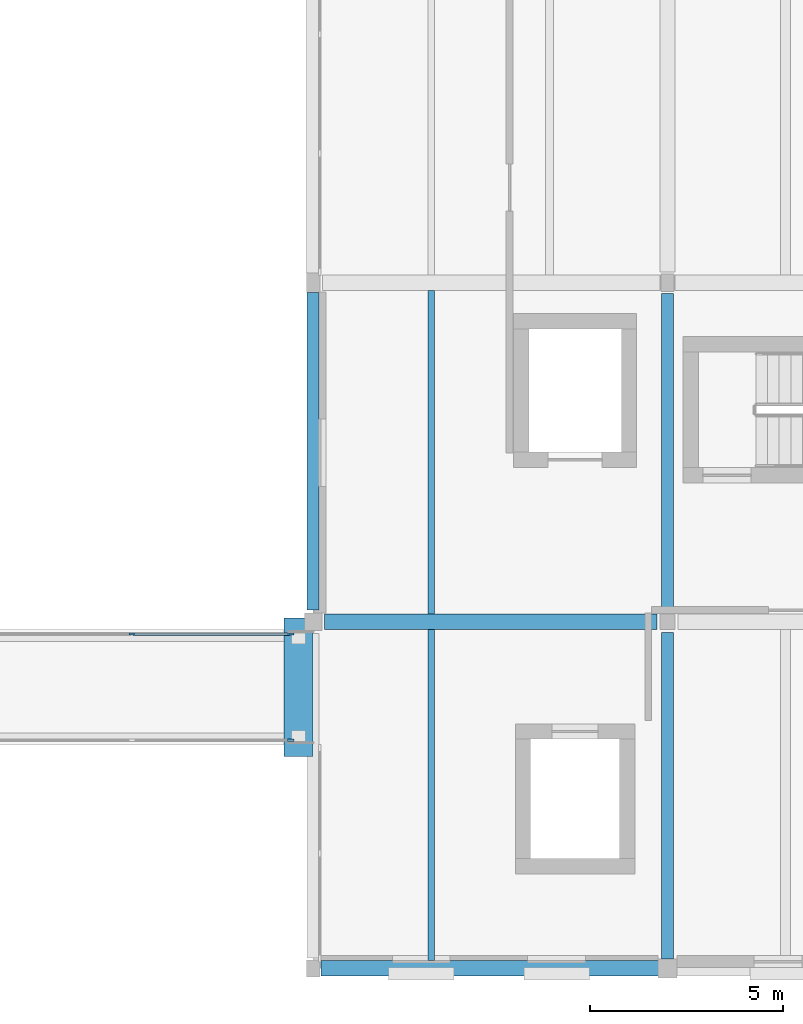
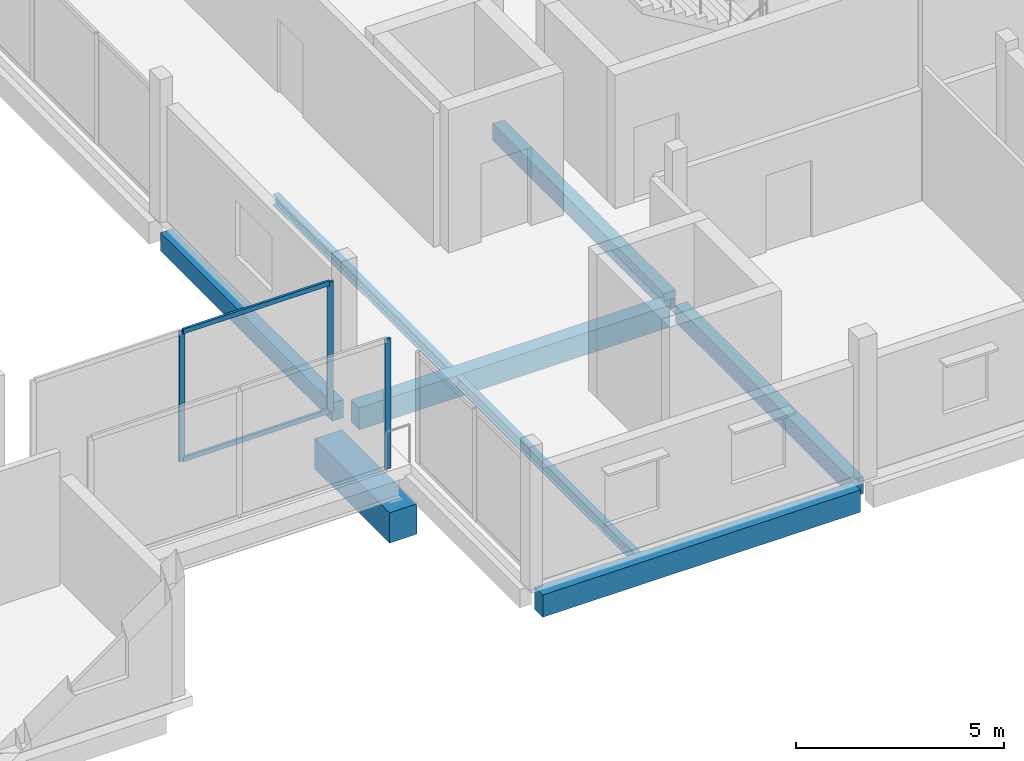
# One storey, part 9 of 35: 8 beams, 5 members, 2 elements without a shape of their own.
"""IFC4 building model written with IfcOpenShell, lengths in metres."""

import ifcopenshell
import ifcopenshell.guid

model = None  # the IFC model being written
_history = None  # IfcOwnerHistory: only IFC2X3 demands one
_inside = {}  # id of a spatial element -> (the spatial element, [elements in it])
_under = {}  # id of a project, library or spatial element -> (it, [spatial elements below it])
_declared = {}  # id of a project -> (the project, [libraries it declares])
_typed = {}  # id of a type object -> (the type object, [elements of that type])
_made_of = {}  # id of a material, layer set ... -> (it, [elements and type objects made of it])


def new_model(schema):
    """Start an empty IFC model of exactly this schema.

    Asked for "IFC4X3", IfcOpenShell would pick the latest addendum, in which some entities
    have other attributes; the version numbers below select the first issue.
    IFC2X3 requires an IfcOwnerHistory on every rooted entity: one is made here for all.
    """
    global model, _history
    if schema == "IFC4X3":
        model = ifcopenshell.file(schema_version=(4, 3, 0, 0))
    else:
        model = ifcopenshell.file(schema=schema)
    _inside.clear()
    _under.clear()
    _declared.clear()
    _typed.clear()
    _made_of.clear()
    _history = None
    if model.schema == "IFC2X3":
        org = make("IfcOrganization", Name="unknown")
        user = make(
            "IfcPersonAndOrganization",
            ThePerson=make("IfcPerson", FamilyName="unknown"),
            TheOrganization=org,
        )
        app = make(
            "IfcApplication",
            ApplicationDeveloper=org,
            Version="unknown",
            ApplicationFullName="unknown",
            ApplicationIdentifier="unknown",
        )
        _history = make(
            "IfcOwnerHistory",
            OwningUser=user,
            OwningApplication=app,
            ChangeAction="ADDED",
            CreationDate=0,
        )
    return model


def make(cls, **values):
    """One entity of the class cls with the attributes given. An attribute that is None is left unset."""
    return model.create_entity(
        cls, **{name: value for name, value in values.items() if value is not None}
    )


def rooted(cls, **values):
    """An entity with a GlobalId (a new one), such as an element, a storey or a relation."""
    return make(cls, GlobalId=ifcopenshell.guid.new(), OwnerHistory=_history, **values)


def si_unit(unit_type, name, prefix=None):
    """IfcSIUnit, for example si_unit("LENGTHUNIT", "METRE", prefix="MILLI")."""
    return make("IfcSIUnit", UnitType=unit_type, Prefix=prefix, Name=name)


def assignment(units):
    """IfcUnitAssignment: the units of a project."""
    return None if units is None else make("IfcUnitAssignment", Units=units)


def point(xyz):
    """IfcCartesianPoint."""
    return None if xyz is None else make("IfcCartesianPoint", Coordinates=xyz)


def direction(xyz):
    """IfcDirection."""
    return None if xyz is None else make("IfcDirection", DirectionRatios=xyz)


def frame(location, z_axis=None, x_axis=None):
    """IfcAxis2Placement3D, a coordinate frame: its origin and axes. An axis left out is left unset."""
    return make(
        "IfcAxis2Placement3D",
        Location=point(location),
        Axis=direction(z_axis),
        RefDirection=direction(x_axis),
    )


def frame_2d(location, x_axis=None):
    """IfcAxis2Placement2D, a coordinate frame in the plane: its origin and x axis."""
    return make(
        "IfcAxis2Placement2D", Location=point(location), RefDirection=direction(x_axis)
    )


def origin():
    """The frame at (0, 0, 0) with its axes left unset."""
    return frame((0.0, 0.0, 0.0))


def origin_2d():
    """The frame at (0, 0) in the plane with its x axis left unset."""
    return frame_2d((0.0, 0.0))


def place(relative_to, where):
    """IfcLocalPlacement: puts the frame where relative to a parent placement (None: the world)."""
    return make(
        "IfcLocalPlacement", PlacementRelTo=relative_to, RelativePlacement=where
    )


def context(
    kind, dimensions, precision=None, world=None, true_north=None, identifier=None
):
    """IfcGeometricRepresentationContext, for example the 3D "Model" context."""
    return make(
        "IfcGeometricRepresentationContext",
        ContextIdentifier=identifier,
        ContextType=kind,
        CoordinateSpaceDimension=dimensions,
        Precision=precision,
        WorldCoordinateSystem=world,
        TrueNorth=true_north,
    )


def subcontext(parent, identifier, kind, view, scale=None):
    """IfcGeometricRepresentationSubContext, for example "Body" below "Model"."""
    return make(
        "IfcGeometricRepresentationSubContext",
        ContextIdentifier=identifier,
        ContextType=kind,
        ParentContext=parent,
        TargetScale=scale,
        TargetView=view,
    )


def project(units=None, contexts=None):
    """IfcProject with its units and contexts."""
    return rooted(
        "IfcProject",
        Name="project",
        RepresentationContexts=contexts,
        UnitsInContext=assignment(units),
    )


def spatial(cls, under=None, at=None, **own):
    """A site, building, storey or space (cls), placed at a placement, below another one or the project."""
    s = rooted(cls, ObjectPlacement=at, **own)
    if under is not None:
        _under.setdefault(under.id(), (under, []))[1].append(s)
    return s


def profile(cls, at=None, kind="AREA", **sizes):
    """A parametric profile (cls). Its sizes go by their IFC names, for example OverallWidth=200.0."""
    return make(cls, ProfileType=kind, Position=at, **sizes)


def rectangle(**sizes):
    """IfcRectangleProfileDef."""
    return profile("IfcRectangleProfileDef", **sizes)


def i_section(**sizes):
    """IfcIShapeProfileDef."""
    return profile("IfcIShapeProfileDef", **sizes)


def extrude(swept, where, along, depth):
    """IfcExtrudedAreaSolid: the profile swept, set in the frame where, extruded along a direction by depth."""
    return make(
        "IfcExtrudedAreaSolid",
        SweptArea=swept,
        Position=where,
        ExtrudedDirection=direction(along),
        Depth=depth,
    )


def shape(context_of_items, identifier, shape_type, items):
    """IfcShapeRepresentation: the items that make up one representation, for example the "Body"."""
    return make(
        "IfcShapeRepresentation",
        ContextOfItems=context_of_items,
        RepresentationIdentifier=identifier,
        RepresentationType=shape_type,
        Items=items,
    )


def material(Name=None, Category=None):
    """IfcMaterial."""
    return make("IfcMaterial", Name=Name, Category=Category)


def layer(
    of_material, thickness, ventilated=None, Name=None, Category=None, Priority=None
):
    """IfcMaterialLayer: one layer of a wall or slab, of a material (None: an air gap)."""
    return make(
        "IfcMaterialLayer",
        Material=of_material,
        LayerThickness=thickness,
        IsVentilated=ventilated,
        Name=Name,
        Category=Category,
        Priority=Priority,
    )


def layer_set(layers, Name=None):
    """IfcMaterialLayerSet."""
    return make("IfcMaterialLayerSet", MaterialLayers=layers, LayerSetName=Name)


def material_profile(
    of_material, cross_section, Name=None, Category=None, Priority=None
):
    """IfcMaterialProfile: a cross section and its material."""
    return make(
        "IfcMaterialProfile",
        Name=Name,
        Material=of_material,
        Profile=cross_section,
        Priority=Priority,
        Category=Category,
    )


def profile_set(profiles, Name=None, composite=None):
    """IfcMaterialProfileSet."""
    return make(
        "IfcMaterialProfileSet",
        Name=Name,
        MaterialProfiles=profiles,
        CompositeProfile=composite,
    )


def made_of(thing, what):
    """Note that an element or type object is made of a material, layer set ...; save() writes the relation."""
    if what is not None:
        _made_of.setdefault(what.id(), (what, []))[1].append(thing)
    return thing


def type_object(cls, material=None, **own):
    """A type object (cls), such as IfcWallType, which elements share."""
    return made_of(rooted(cls, **own), material)


def element(
    cls,
    number,
    at=None,
    inside=None,
    cuts=None,
    type_object=None,
    material=None,
    context=None,
    identifier="Body",
    shape_type=None,
    held_by="IfcProductDefinitionShape",
    body=None,
    shapes=None,
    **own,
):
    """One element of the class cls, such as IfcWall. Its Tag is "e" and its number.

    at: its placement. inside: the storey or other place that contains it. cuts: it is an
    opening in that element (IfcRelVoidsElement). A single representation is given by context,
    identifier, shape_type and body (its items); several are given by shapes. held_by: the class
    of the entity that holds the representations. save() writes the other relations.
    """
    e = rooted(cls, Tag="e%d" % number, ObjectPlacement=at, **own)
    if body is not None:
        shapes = [shape(context, identifier, shape_type, body)]
    if shapes is not None:
        e.Representation = make(held_by, Representations=shapes)
    if inside is not None:
        _inside.setdefault(inside.id(), (inside, []))[1].append(e)
    if cuts is not None:
        rooted(
            "IfcRelVoidsElement", RelatingBuildingElement=cuts, RelatedOpeningElement=e
        )
    if type_object is not None:
        _typed.setdefault(type_object.id(), (type_object, []))[1].append(e)
    return made_of(e, material)


def aggregate(whole, parts):
    """IfcRelAggregates: a whole, such as a stair, and the parts it consists of."""
    return rooted("IfcRelAggregates", RelatingObject=whole, RelatedObjects=parts)


def save(model, path):
    """Write the relations noted so far, then the file.

    IfcRelAggregates (storeys below a building ...), IfcRelContainedInSpatialStructure (elements
    in a storey), IfcRelDefinesByType, IfcRelAssociatesMaterial and IfcRelDeclares: one each for
    every whole, place, type object, material and project.
    """
    for whole, parts in _under.values():
        aggregate(whole, parts)
    for where, things in _inside.values():
        rooted(
            "IfcRelContainedInSpatialStructure",
            RelatedElements=things,
            RelatingStructure=where,
        )
    for kind, things in _typed.values():
        rooted("IfcRelDefinesByType", RelatedObjects=things, RelatingType=kind)
    for what, things in _made_of.values():
        rooted("IfcRelAssociatesMaterial", RelatedObjects=things, RelatingMaterial=what)
    for by, libraries in _declared.values():
        rooted("IfcRelDeclares", RelatingContext=by, RelatedDefinitions=libraries)
    model.write(path)


model = new_model("IFC4")

# Units and contexts
model_context = context("Model", 3, precision=1e-05, world=origin(), true_north=direction((0.0, 1.0)))
body_context = subcontext(model_context, "Body", "Model", "MODEL_VIEW")
ifc_project = project(units=[si_unit("LENGTHUNIT", "METRE"), si_unit("AREAUNIT", "SQUARE_METRE"), si_unit("VOLUMEUNIT", "CUBIC_METRE"), si_unit("PLANEANGLEUNIT", "RADIAN"), si_unit("MASSUNIT", "GRAM", prefix="KILO")], contexts=[model_context])

# Site, building, storey
site_placement = place(None, origin())
site = spatial("IfcSite", under=ifc_project, at=site_placement, CompositionType="ELEMENT")
building_placement = place(site_placement, origin())
building = spatial("IfcBuilding", under=site, at=building_placement, Name="Birchvale Park Specialist Clinic", CompositionType="ELEMENT")
storey_placement = place(building_placement, frame((0.0, 0.0, 13.800048828125)))
storey = spatial("IfcBuildingStorey", under=building, at=storey_placement, Name="L03", CompositionType="ELEMENT", Elevation=13.800048828125)

# Beams
ifc_material_1 = material(Name="Concrete C40/50", Category="concrete")
ifc_material_profile_1 = material_profile(ifc_material_1, rectangle(XDim=0.320068359375, YDim=0.5400390625, at=origin_2d()), Name="RCB-320x540")
ifc_profile_set_1 = profile_set([ifc_material_profile_1], Name="Concrete C40/50")
beam_type_1 = type_object("IfcBeamType", Name="BM-EXT-BG7", PredefinedType="BEAM", material=ifc_profile_set_1)
beam_1_placement = place(storey_placement, frame((128.0, 26.10009765625, -0.550048828125), z_axis=(0.0, 1.0, 0.0), x_axis=(-1.0, 0.0, 0.0)))
element("IfcBeam", 1, at=beam_1_placement, inside=storey, type_object=beam_type_1, Name="V5 L03 Y girder 14", PredefinedType="BEAM", context=body_context, shape_type="SweptSolid", body=[
    extrude(rectangle(XDim=0.320068359375, YDim=0.5400390625, at=origin_2d()), origin(), (0.0, 0.0, 1.0), 8.25),
])
ifc_material_profile_2 = material_profile(ifc_material_1, rectangle(XDim=0.760009765625, YDim=0.889892578125, at=origin_2d()), Name="RCB-760x890")
ifc_profile_set_2 = profile_set([ifc_material_profile_2], Name="Concrete C40/50")
beam_type_2 = type_object("IfcBeamType", Name="BM-EXT-RB2", PredefinedType="BEAM", material=ifc_profile_set_2)
beam_2_placement = place(storey_placement, frame((127.6201171875, 22.300048828125, -1.43212890625), z_axis=(0.0, 1.0, 0.0), x_axis=(-1.0, 0.0, 0.0)))
element("IfcBeam", 2, at=beam_2_placement, inside=storey, type_object=beam_type_2, Name="L03 seismic joint RC corbel seat 760 mm BRG-3", PredefinedType="BEAM", context=body_context, shape_type="SweptSolid", body=[
    extrude(rectangle(XDim=0.760009765625, YDim=0.889892578125, at=origin_2d()), origin(), (0.0, 0.0, 1.0), 3.599853515625),
])
ifc_material_profile_3 = material_profile(ifc_material_1, rectangle(XDim=0.39990234375, YDim=0.64990234375, at=origin_2d()), Name="RCB-400x650")
ifc_profile_set_3 = profile_set([ifc_material_profile_3], Name="Concrete C40/50")
beam_type_3 = type_object("IfcBeamType", Name="BM-INT-BG4", PredefinedType="BEAM", material=ifc_profile_set_3)
beam_3_placement = place(storey_placement, frame((128.199951171875, 16.800048828125, -0.60498046875), z_axis=(1.0, 0.0, 0.0), x_axis=(0.0, 1.0, 0.0)))
element("IfcBeam", 3, at=beam_3_placement, inside=storey, type_object=beam_type_3, Name="V5 L03 X girder 1", PredefinedType="BEAM", context=body_context, shape_type="SweptSolid", body=[
    extrude(rectangle(XDim=0.39990234375, YDim=0.64990234375, at=origin_2d()), origin(), (0.0, 0.0, 1.0), 8.824951171875),
])
beam_4_placement = place(storey_placement, frame((128.300048828125, 25.800048828125, -0.60498046875), z_axis=(1.0, 0.0, 0.0), x_axis=(0.0, 1.0, 0.0)))
element("IfcBeam", 4, at=beam_4_placement, inside=storey, type_object=beam_type_3, Name="V5 L03 X girder 4", PredefinedType="BEAM", context=body_context, shape_type="SweptSolid", body=[
    extrude(rectangle(XDim=0.39990234375, YDim=0.64990234375, at=origin_2d()), origin(), (0.0, 0.0, 1.0), 8.625),
])
ifc_material_profile_4 = material_profile(ifc_material_1, rectangle(XDim=0.320068359375, YDim=0.5, at=origin_2d()), Name="RCB-320x500")
ifc_profile_set_4 = profile_set([ifc_material_profile_4], Name="Concrete C40/50")
beam_type_4 = type_object("IfcBeamType", Name="BM-INT-BG7", PredefinedType="BEAM", material=ifc_profile_set_4)
beam_5_placement = place(storey_placement, frame((137.199951171875, 17.050048828125, -0.530029296875), z_axis=(0.0, 1.0, 0.0), x_axis=(-1.0, 0.0, 0.0)))
element("IfcBeam", 5, at=beam_5_placement, inside=storey, type_object=beam_type_4, Name="V5 L03 Y girder 16", PredefinedType="BEAM", context=body_context, shape_type="SweptSolid", body=[
    extrude(rectangle(XDim=0.320068359375, YDim=0.5, at=origin_2d()), origin(), (0.0, 0.0, 1.0), 8.474853515625),
])
beam_6_placement = place(storey_placement, frame((137.199951171875, 26.074951171875, -0.530029296875), z_axis=(0.0, 1.0, 0.0), x_axis=(-1.0, 0.0, 0.0)))
element("IfcBeam", 6, at=beam_6_placement, inside=storey, type_object=beam_type_4, Name="V5 L03 Y girder 17", PredefinedType="BEAM", context=body_context, shape_type="SweptSolid", body=[
    extrude(rectangle(XDim=0.320068359375, YDim=0.5, at=origin_2d()), origin(), (0.0, 0.0, 1.0), 8.25),
])

# Curtain wall, member
ifc_material_2 = material(Name="Thermally broken anodised aluminium", Category="aluminium")
ifc_layer = layer(ifc_material_2, 0.14990234375)
ifc_layer_set = layer_set([ifc_layer], Name="Thermally broken anodised aluminium")
curtain_wall_type = type_object("IfcCurtainWallType", Name="CW-S2", PredefinedType="USERDEFINED", material=ifc_layer_set)
curtain_wall_1_placement = place(storey_placement, origin())
curtain_wall_1 = element("IfcCurtainWall", 7, at=curtain_wall_1_placement, inside=storey, type_object=curtain_wall_type, Name="V4 L03 glazed curtain wall 155", ObjectType="STICK", PredefinedType="USERDEFINED")
ifc_material_profile_5 = material_profile(ifc_material_2, rectangle(XDim=0.06005859375, YDim=0.159912109375, at=origin_2d()), Name="CWM-60x160")
ifc_profile_set_5 = profile_set([ifc_material_profile_5], Name="Thermally broken anodised aluminium")
member_type_1 = type_object("IfcMemberType", Name="CWM1", PredefinedType="MULLION", material=ifc_profile_set_5)
member_1_placement = place(storey_placement, frame((127.419921875, 22.719970703125, 0.0), z_axis=(0.0, 0.0, 1.0), x_axis=(0.0, 1.0, 0.0)))
member_1 = element("IfcMember", 8, at=member_1_placement, type_object=member_type_1, Name="CW mullion 3", PredefinedType="MULLION", context=body_context, shape_type="SweptSolid", body=[
    extrude(rectangle(XDim=0.06005859375, YDim=0.159912109375, at=origin_2d()), origin(), (0.0, 0.0, 1.0), 3.820068359375),
])
aggregate(curtain_wall_1, [member_1])

# Curtain wall, members
curtain_wall_2_placement = place(storey_placement, origin())
curtain_wall_2 = element("IfcCurtainWall", 9, at=curtain_wall_2_placement, inside=storey, type_object=curtain_wall_type, Name="V4 L03 glazed curtain wall 156", ObjectType="STICK", PredefinedType="USERDEFINED")
member_2_placement = place(storey_placement, frame((127.419921875, 25.47998046875, 0.0), z_axis=(0.0, 0.0, 1.0), x_axis=(0.0, -1.0, 0.0)))
member_2 = element("IfcMember", 10, at=member_2_placement, type_object=member_type_1, Name="CW mullion 1", PredefinedType="MULLION", context=body_context, shape_type="SweptSolid", body=[
    extrude(rectangle(XDim=0.06005859375, YDim=0.159912109375, at=origin_2d()), origin(), (0.0, 0.0, 1.0), 3.820068359375),
])
member_3_placement = place(storey_placement, frame((123.300048828125, 25.47998046875, 0.0), z_axis=(0.0, 0.0, 1.0), x_axis=(0.0, -1.0, 0.0)))
member_3 = element("IfcMember", 11, at=member_3_placement, type_object=member_type_1, Name="CW mullion 2", PredefinedType="MULLION", context=body_context, shape_type="SweptSolid", body=[
    extrude(rectangle(XDim=0.06005859375, YDim=0.159912109375, at=origin_2d()), origin(), (0.0, 0.0, 1.0), 3.820068359375),
])
ifc_material_profile_6 = material_profile(ifc_material_2, rectangle(XDim=0.06494140625, YDim=0.139892578125, at=origin_2d()), Name="CWT-65x140")
ifc_profile_set_6 = profile_set([ifc_material_profile_6], Name="Thermally broken anodised aluminium")
member_type_2 = type_object("IfcMemberType", Name="CWT2", PredefinedType="USERDEFINED", material=ifc_profile_set_6)
member_4_placement = place(storey_placement, frame((127.389892578125, 25.47998046875, 0.032470703125), z_axis=(-1.0, 0.0, 0.0), x_axis=(0.0, -1.0, 0.0)))
member_4 = element("IfcMember", 12, at=member_4_placement, type_object=member_type_2, Name="CW transom 1.1", ObjectType="TRANSOM", PredefinedType="USERDEFINED", context=body_context, shape_type="SweptSolid", body=[
    extrude(rectangle(XDim=0.06494140625, YDim=0.139892578125, at=origin_2d()), origin(), (0.0, 0.0, 1.0), 4.059814453125),
])
member_5_placement = place(storey_placement, frame((127.389892578125, 25.47998046875, 3.787353515625), z_axis=(-1.0, 0.0, 0.0), x_axis=(0.0, -1.0, 0.0)))
member_5 = element("IfcMember", 13, at=member_5_placement, type_object=member_type_2, Name="CW transom 1.2", ObjectType="TRANSOM", PredefinedType="USERDEFINED", context=body_context, shape_type="SweptSolid", body=[
    extrude(rectangle(XDim=0.06494140625, YDim=0.139892578125, at=origin_2d()), origin(), (0.0, 0.0, 1.0), 4.059814453125),
])
aggregate(curtain_wall_2, [member_2, member_3, member_4, member_5])

# Beams
ifc_material_3 = material(Name="Steel ASTM A992 Grade 50", Category="steel")
ifc_material_profile_7 = material_profile(ifc_material_3, i_section(OverallWidth=0.1669921875, OverallDepth=0.31689453125, WebThickness=0.007568359375, FlangeThickness=0.01318359375, at=origin_2d()), Name="W12X35")
ifc_profile_set_7 = profile_set([ifc_material_profile_7], Name="Steel ASTM A992 Grade 50")
beam_type_5 = type_object("IfcBeamType", Name="STL-INT-SJ3", PredefinedType="JOIST", material=ifc_profile_set_7)
beam_7_placement = place(storey_placement, frame((131.066650390625, 17.0, -0.4384765625), z_axis=(0.0, 1.0, 0.0), x_axis=(-1.0, 0.0, 0.0)))
element("IfcBeam", 14, at=beam_7_placement, inside=storey, type_object=beam_type_5, Name="V5 L03 secondary floor joist 1", PredefinedType="JOIST", context=body_context, shape_type="SweptSolid", body=[
    extrude(i_section(OverallWidth=0.1669921875, OverallDepth=0.31689453125, WebThickness=0.007568359375, FlangeThickness=0.01318359375, at=origin_2d()), origin(), (0.0, 0.0, 1.0), 8.60009765625),
])
beam_8_placement = place(storey_placement, frame((131.066650390625, 26.0, -0.4384765625), z_axis=(0.0, 1.0, 0.0), x_axis=(-1.0, 0.0, 0.0)))
element("IfcBeam", 15, at=beam_8_placement, inside=storey, type_object=beam_type_5, Name="V5 L03 secondary floor joist 2", PredefinedType="JOIST", context=body_context, shape_type="SweptSolid", body=[
    extrude(i_section(OverallWidth=0.1669921875, OverallDepth=0.31689453125, WebThickness=0.007568359375, FlangeThickness=0.01318359375, at=origin_2d()), origin(), (0.0, 0.0, 1.0), 8.39990234375),
])

save(model, "model.ifc")
